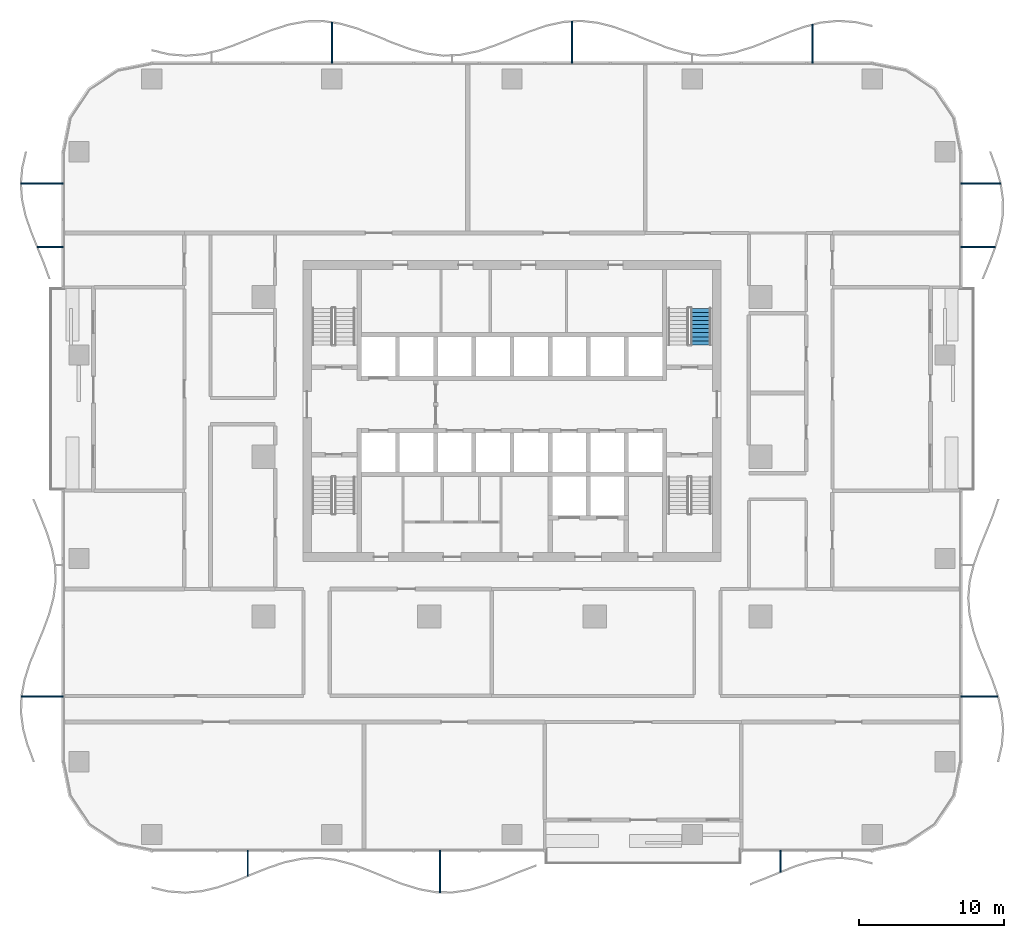
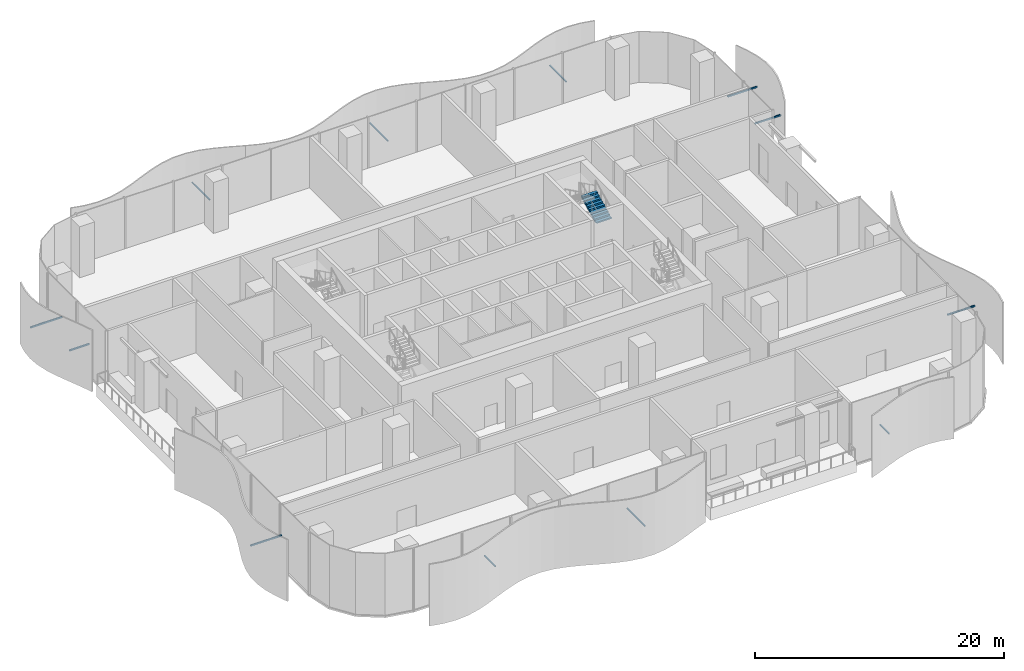
# One storey, part 12 of 21: 12 discrete accessories, 1 stair flight, 1 element without a shape of its own.
"""IFC4 building model written with IfcOpenShell, lengths in metres."""

from ifc_helpers import new_model, si_unit, direction, frame, origin, origin_2d, place, context, subcontext, project, spatial, polyline, rectangle, outline, extrude, material, type_object, element, aggregate, save


model = new_model("IFC4")

# Units and contexts
model_context = context("Model", 3, precision=1e-05, world=origin(), true_north=direction((0.0, 1.0)))
body_context = subcontext(model_context, "Body", "Model", "MODEL_VIEW")
ifc_project = project(units=[si_unit("LENGTHUNIT", "METRE"), si_unit("AREAUNIT", "SQUARE_METRE"), si_unit("VOLUMEUNIT", "CUBIC_METRE"), si_unit("PLANEANGLEUNIT", "RADIAN"), si_unit("MASSUNIT", "GRAM", prefix="KILO")], contexts=[model_context])

# Site, building, storey
site_placement = place(None, origin())
site = spatial("IfcSite", under=ifc_project, at=site_placement, CompositionType="ELEMENT")
building_placement = place(site_placement, origin())
building = spatial("IfcBuilding", under=site, at=building_placement, Name="Mopane Tessera Tower", CompositionType="ELEMENT")
storey_placement = place(building_placement, frame((0.0, 0.0, 9.0)))
storey = spatial("IfcBuildingStorey", under=building, at=storey_placement, Name="L01", CompositionType="ELEMENT", Elevation=9.0)

# Stair, stair flight
ifc_material_1 = material(Name="Concrete C50/60", Category="concrete")
stair_type = type_object("IfcStairType", Name="Escape stair 1400 mm, riser 138 mm", PredefinedType="HALF_TURN_STAIR", material=ifc_material_1)
stair_placement = place(storey_placement, origin())
stair = element("IfcStair", 1, at=stair_placement, inside=storey, type_object=stair_type, Name="L01 Escape stair north-east", PredefinedType="HALF_TURN_STAIR")
ifc_material_2 = material(Name="Concrete C50/60", Category="concrete")
stair_flight_type = type_object("IfcStairFlightType", Name="Escape stair flight 1400 mm", PredefinedType="STRAIGHT", material=ifc_material_2)
stair_flight_placement = place(storey_placement, frame((13.0, 7.699951171875, 2.75), z_axis=(0.0, 0.0, 1.0), x_axis=(0.0, 1.0, 0.0)))
stair_flight = element("IfcStairFlight", 2, at=stair_flight_placement, type_object=stair_flight_type, Name="ST4 flight 3", NumberOfRisers=10, NumberOfTreads=9, PredefinedType="STRAIGHT", RiserHeight=0.1375, TreadLength=0.28, context=body_context, shape_type="SweptSolid", body=[
    extrude(outline(polyline([(0.0, 0.0), (0.0, 0.137451171875), (0.280029296875, 0.137451171875), (0.280029296875, 0.27490234375), (0.56005859375, 0.27490234375), (0.56005859375, 0.41259765625), (0.840087890625, 0.41259765625), (0.840087890625, 0.550048828125), (1.1201171875, 0.550048828125), (1.1201171875, 0.6875), (1.39990234375, 0.6875), (1.39990234375, 0.824951171875), (1.679931640625, 0.824951171875), (1.679931640625, 0.96240234375), (1.9599609375, 0.96240234375), (1.9599609375, 1.10009765625), (2.239990234375, 1.10009765625), (2.239990234375, 1.237548828125), (2.52001953125, 1.237548828125), (2.52001953125, 1.375), (2.52001953125, 1.070556640625), (0.340087890625, 0.0), (0.0, 0.0)])), frame((0.0, 0.699951171875, 0.0), z_axis=(0.0, -1.0, 0.0), x_axis=(1.0, 0.0, 0.0)), (0.0, 0.0, 1.0), 1.39990234375),
])
aggregate(stair, [stair_flight])

# Discrete accessories
ifc_material_3 = material(Name="Stainless steel S316", Category="steel")
discrete_accessory_type = type_object("IfcDiscreteAccessoryType", Name="Louvre bracket 100 x 100", PredefinedType="BRACKET", material=ifc_material_3)
discrete_accessory_1_placement = place(storey_placement, frame((-18.186279296875, -27.968505859375, 1.929931640625), z_axis=(0.0, 0.0, 1.0), x_axis=(0.0, -1.0, 0.0)))
element("IfcDiscreteAccessory", 3, at=discrete_accessory_1_placement, inside=storey, type_object=discrete_accessory_type, Name="e:lv:L01:S:0:br0", PredefinedType="BRACKET", context=body_context, shape_type="SweptSolid", body=[
    extrude(rectangle(XDim=1.777099609375, YDim=0.10009765625, at=origin_2d()), origin(), (0.0, 0.0, 1.0), 0.10009765625),
])
discrete_accessory_2_placement = place(storey_placement, frame((-4.958984375, -28.533935546875, 1.929931640625), z_axis=(0.0, 0.0, 1.0), x_axis=(0.0, -1.0, 0.0)))
element("IfcDiscreteAccessory", 4, at=discrete_accessory_2_placement, inside=storey, type_object=discrete_accessory_type, Name="e:lv:L01:S:0:br1", PredefinedType="BRACKET", context=body_context, shape_type="SweptSolid", body=[
    extrude(rectangle(XDim=2.90771484375, YDim=0.10009765625, at=origin_2d()), origin(), (0.0, 0.0, 1.0), 0.10009765625),
])
discrete_accessory_3_placement = place(storey_placement, frame((18.486328125, -27.828369140625, 1.929931640625), z_axis=(0.0, 0.0, 1.0), x_axis=(0.0, -1.0, 0.0)))
element("IfcDiscreteAccessory", 5, at=discrete_accessory_3_placement, inside=storey, type_object=discrete_accessory_type, Name="e:lv:L01:S:1:br0", PredefinedType="BRACKET", context=body_context, shape_type="SweptSolid", body=[
    extrude(rectangle(XDim=1.49658203125, YDim=0.10009765625, at=origin_2d()), origin(), (0.0, 0.0, 1.0), 0.10009765625),
])
discrete_accessory_4_placement = place(storey_placement, frame((32.161865234375, -16.4833984375, 1.929931640625), z_axis=(0.0, 0.0, 1.0), x_axis=(1.0, 0.0, 0.0)))
element("IfcDiscreteAccessory", 6, at=discrete_accessory_4_placement, inside=storey, type_object=discrete_accessory_type, Name="e:lv:L01:E:0:br0", PredefinedType="BRACKET", context=body_context, shape_type="SweptSolid", body=[
    extrude(rectangle(XDim=2.5634765625, YDim=0.10009765625, at=origin_2d()), origin(), (0.0, 0.0, 1.0), 0.10009765625),
])
discrete_accessory_5_placement = place(storey_placement, frame((32.075439453125, 14.449951171875, 1.929931640625), z_axis=(0.0, 0.0, 1.0), x_axis=(1.0, 0.0, 0.0)))
element("IfcDiscreteAccessory", 7, at=discrete_accessory_5_placement, inside=storey, type_object=discrete_accessory_type, Name="e:lv:L01:E:1:br0", PredefinedType="BRACKET", context=body_context, shape_type="SweptSolid", body=[
    extrude(rectangle(XDim=2.39111328125, YDim=0.10009765625, at=origin_2d()), origin(), (0.0, 0.0, 1.0), 0.10009765625),
])
discrete_accessory_6_placement = place(storey_placement, frame((32.25244140625, 18.816650390625, 1.929931640625), z_axis=(0.0, 0.0, 1.0), x_axis=(1.0, 0.0, 0.0)))
element("IfcDiscreteAccessory", 8, at=discrete_accessory_6_placement, inside=storey, type_object=discrete_accessory_type, Name="e:lv:L01:E:1:br1", PredefinedType="BRACKET", context=body_context, shape_type="SweptSolid", body=[
    extrude(rectangle(XDim=2.744873046875, YDim=0.10009765625, at=origin_2d()), origin(), (0.0, 0.0, 1.0), 0.10009765625),
])
discrete_accessory_7_placement = place(storey_placement, frame((20.666748046875, 28.4150390625, 1.929931640625), z_axis=(0.0, 0.0, 1.0), x_axis=(0.0, 1.0, 0.0)))
element("IfcDiscreteAccessory", 9, at=discrete_accessory_7_placement, inside=storey, type_object=discrete_accessory_type, Name="e:lv:L01:N:0:br0", PredefinedType="BRACKET", context=body_context, shape_type="SweptSolid", body=[
    extrude(rectangle(XDim=2.669921875, YDim=0.10009765625, at=origin_2d()), origin(), (0.0, 0.0, 1.0), 0.10009765625),
])
discrete_accessory_8_placement = place(storey_placement, frame((4.13330078125, 28.53369140625, 1.929931640625), z_axis=(0.0, 0.0, 1.0), x_axis=(0.0, 1.0, 0.0)))
element("IfcDiscreteAccessory", 10, at=discrete_accessory_8_placement, inside=storey, type_object=discrete_accessory_type, Name="e:lv:L01:N:1:br0", PredefinedType="BRACKET", context=body_context, shape_type="SweptSolid", body=[
    extrude(rectangle(XDim=2.9072265625, YDim=0.10009765625, at=origin_2d()), origin(), (0.0, 0.0, 1.0), 0.10009765625),
])
discrete_accessory_9_placement = place(storey_placement, frame((-12.39990234375, 28.500244140625, 1.929931640625), z_axis=(0.0, 0.0, 1.0), x_axis=(0.0, 1.0, 0.0)))
element("IfcDiscreteAccessory", 11, at=discrete_accessory_9_placement, inside=storey, type_object=discrete_accessory_type, Name="e:lv:L01:N:2:br0", PredefinedType="BRACKET", context=body_context, shape_type="SweptSolid", body=[
    extrude(rectangle(XDim=2.84033203125, YDim=0.10009765625, at=origin_2d()), origin(), (0.0, 0.0, 1.0), 0.10009765625),
])
discrete_accessory_10_placement = place(storey_placement, frame((-32.33984375, 18.816650390625, 1.929931640625), z_axis=(0.0, 0.0, 1.0), x_axis=(-1.0, 0.0, 0.0)))
element("IfcDiscreteAccessory", 12, at=discrete_accessory_10_placement, inside=storey, type_object=discrete_accessory_type, Name="e:lv:L01:W:0:br0", PredefinedType="BRACKET", context=body_context, shape_type="SweptSolid", body=[
    extrude(rectangle(XDim=2.919677734375, YDim=0.10009765625, at=origin_2d()), origin(), (0.0, 0.0, 1.0), 0.10009765625),
])
discrete_accessory_11_placement = place(storey_placement, frame((-31.78173828125, 14.449951171875, 1.929931640625), z_axis=(0.0, 0.0, 1.0), x_axis=(-1.0, 0.0, 0.0)))
element("IfcDiscreteAccessory", 13, at=discrete_accessory_11_placement, inside=storey, type_object=discrete_accessory_type, Name="e:lv:L01:W:0:br1", PredefinedType="BRACKET", context=body_context, shape_type="SweptSolid", body=[
    extrude(rectangle(XDim=1.8037109375, YDim=0.10009765625, at=origin_2d()), origin(), (0.0, 0.0, 1.0), 0.10009765625),
])
discrete_accessory_12_placement = place(storey_placement, frame((-32.318603515625, -16.4833984375, 1.929931640625), z_axis=(0.0, 0.0, 1.0), x_axis=(-1.0, 0.0, 0.0)))
element("IfcDiscreteAccessory", 14, at=discrete_accessory_12_placement, inside=storey, type_object=discrete_accessory_type, Name="e:lv:L01:W:1:br1", PredefinedType="BRACKET", context=body_context, shape_type="SweptSolid", body=[
    extrude(rectangle(XDim=2.877197265625, YDim=0.10009765625, at=origin_2d()), origin(), (0.0, 0.0, 1.0), 0.10009765625),
])

save(model, "model.ifc")
